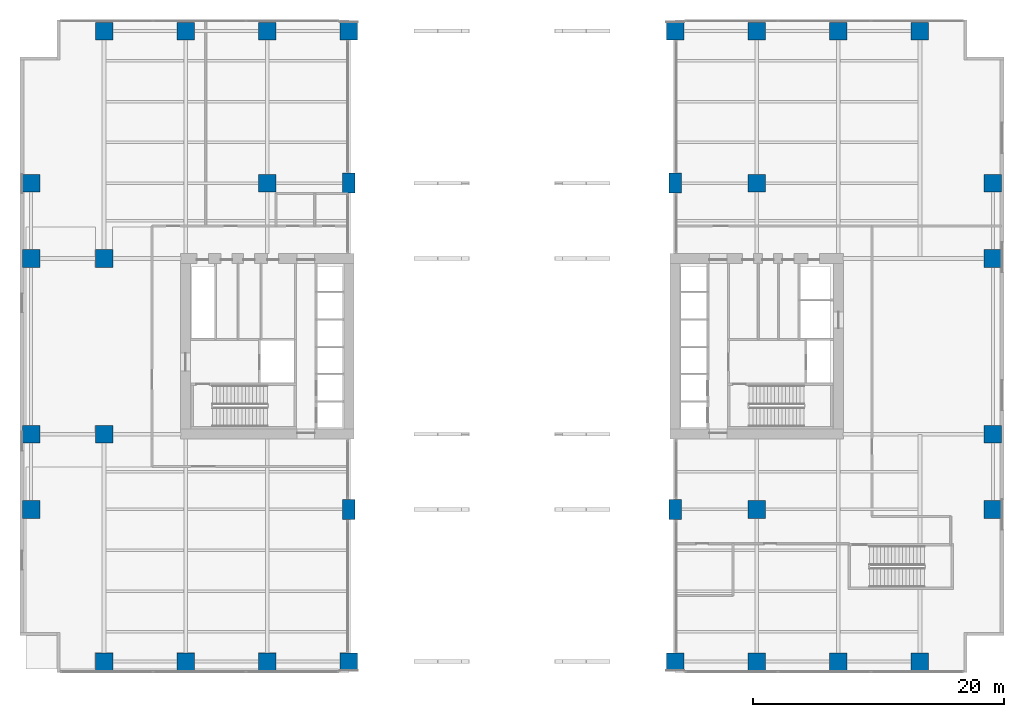
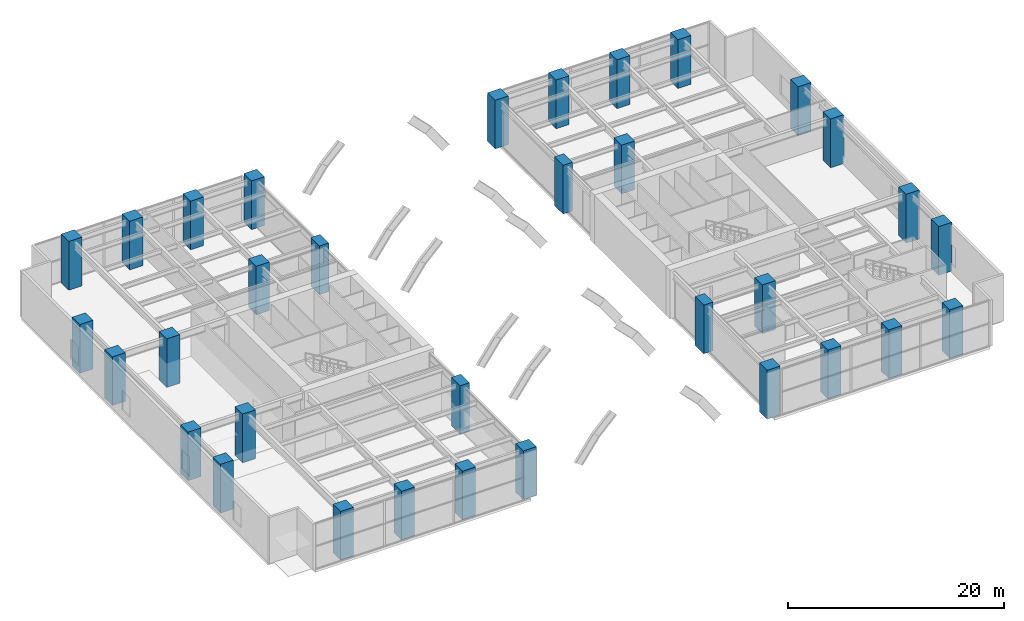
# One storey, part 1 of 18: 33 columns.
"""IFC4 building model written with IfcOpenShell, lengths in metres."""

from ifc_helpers import new_model, si_unit, direction, frame, origin, origin_2d, place, context, subcontext, project, spatial, rectangle, extrude, material, material_profile, profile_set, type_object, element, save


model = new_model("IFC4")

# Units and contexts
model_context = context("Model", 3, precision=1e-05, world=origin(), true_north=direction((0.0, 1.0)))
body_context = subcontext(model_context, "Body", "Model", "MODEL_VIEW")
ifc_project = project(units=[si_unit("LENGTHUNIT", "METRE"), si_unit("AREAUNIT", "SQUARE_METRE"), si_unit("VOLUMEUNIT", "CUBIC_METRE"), si_unit("PLANEANGLEUNIT", "RADIAN"), si_unit("MASSUNIT", "GRAM", prefix="KILO")], contexts=[model_context])

# Site, building, storey
site_placement = place(None, origin())
site = spatial("IfcSite", under=ifc_project, at=site_placement, CompositionType="ELEMENT")
building_placement = place(site_placement, origin())
building = spatial("IfcBuilding", under=site, at=building_placement, Name="Putna Gate Headquarters", CompositionType="ELEMENT")
storey_placement = place(building_placement, frame((0.0, 0.0, 11.5)))
storey = spatial("IfcBuildingStorey", under=building, at=storey_placement, Name="L02", CompositionType="ELEMENT", Elevation=11.5)

# Columns
ifc_material = material(Name="Concrete C60/75", Category="concrete")
ifc_material_profile_1 = material_profile(ifc_material, rectangle(XDim=1.0, YDim=1.60009765625, at=origin_2d()), Name="Concrete C60/75")
ifc_profile_set_1 = profile_set([ifc_material_profile_1], Name="Concrete C60/75")
column_type_1 = type_object("IfcColumnType", Name="COL-PILASTER-1600", PredefinedType="PILASTER", material=ifc_profile_set_1)
for number, where, z_axis, x_axis, name in (
    (1, (26.0, 13.0, 0.0), (0.0, 0.0, 1.0), (1.0, 0.0, 0.0), "L02 Column CAP-WS"),
    (2, (26.0, 39.0, 0.0), (0.0, 0.0, 1.0), (1.0, 0.0, 0.0), "L02 Column CAP-WN"),
    (3, (52.0, 13.0, 0.0), (0.0, 0.0, 1.0), (1.0, 0.0, 0.0), "L02 Column CAP-ES"),
    (4, (52.0, 39.0, 0.0), (0.0, 0.0, 1.0), (1.0, 0.0, 0.0), "L02 Column CAP-EN"),
):
    element("IfcColumn", number, at=place(storey_placement, frame(where, z_axis=z_axis, x_axis=x_axis)), inside=storey, type_object=column_type_1, Name=name, PredefinedType="PILASTER", context=body_context, shape_type="SweptSolid", body=[
        extrude(rectangle(XDim=1.0, YDim=1.60009765625, at=origin_2d()), origin(), (0.0, 0.0, 1.0), 5.5),
    ])
ifc_material_profile_2 = material_profile(ifc_material, rectangle(XDim=1.39990234375, YDim=1.39990234375, at=origin_2d()), Name="Concrete C60/75")
ifc_profile_set_2 = profile_set([ifc_material_profile_2], Name="Concrete C60/75")
column_type_2 = type_object("IfcColumnType", Name="COL-RC1400-EXT", PredefinedType="COLUMN", material=ifc_profile_set_2)
for number, where, z_axis, x_axis, name in (
    (5, (6.5, 0.8798828125, 0.0), (0.0, 0.0, 1.0), (1.0, 0.0, 0.0), "L02 Column CP-S6"),
    (6, (6.5, 51.1201171875, 0.0), (0.0, 0.0, 1.0), (1.0, 0.0, 0.0), "L02 Column CP-N6"),
    (7, (13.0, 0.8798828125, 0.0), (0.0, 0.0, 1.0), (1.0, 0.0, 0.0), "L02 Column CP-S13"),
    (8, (13.0, 51.1201171875, 0.0), (0.0, 0.0, 1.0), (1.0, 0.0, 0.0), "L02 Column CP-N13"),
    (9, (19.5, 0.8798828125, 0.0), (0.0, 0.0, 1.0), (1.0, 0.0, 0.0), "L02 Column CP-S19"),
    (10, (19.5, 51.1201171875, 0.0), (0.0, 0.0, 1.0), (1.0, 0.0, 0.0), "L02 Column CP-N19"),
    (11, (26.0, 0.8798828125, 0.0), (0.0, 0.0, 1.0), (1.0, 0.0, 0.0), "L02 Column CP-S26"),
    (12, (26.0, 51.1201171875, 0.0), (0.0, 0.0, 1.0), (1.0, 0.0, 0.0), "L02 Column CP-N26"),
    (13, (52.0, 0.8798828125, 0.0), (0.0, 0.0, 1.0), (1.0, 0.0, 0.0), "L02 Column CP-S52"),
    (14, (52.0, 51.1201171875, 0.0), (0.0, 0.0, 1.0), (1.0, 0.0, 0.0), "L02 Column CP-N52"),
    (15, (58.5, 0.8798828125, 0.0), (0.0, 0.0, 1.0), (1.0, 0.0, 0.0), "L02 Column CP-S58"),
    (16, (58.5, 51.1201171875, 0.0), (0.0, 0.0, 1.0), (1.0, 0.0, 0.0), "L02 Column CP-N58"),
    (17, (65.0, 0.8798828125, 0.0), (0.0, 0.0, 1.0), (1.0, 0.0, 0.0), "L02 Column CP-S65"),
    (18, (65.0, 51.1201171875, 0.0), (0.0, 0.0, 1.0), (1.0, 0.0, 0.0), "L02 Column CP-N65"),
    (19, (71.5, 0.8798828125, 0.0), (0.0, 0.0, 1.0), (1.0, 0.0, 0.0), "L02 Column CP-S71"),
    (20, (71.5, 51.1201171875, 0.0), (0.0, 0.0, 1.0), (1.0, 0.0, 0.0), "L02 Column CP-N71"),
    (21, (0.679931640625, 13.0, 0.0), (0.0, 0.0, 1.0), (1.0, 0.0, 0.0), "L02 Column CP-W13"),
    (22, (77.320068359375, 13.0, 0.0), (0.0, 0.0, 1.0), (1.0, 0.0, 0.0), "L02 Column CP-E13"),
    (23, (0.679931640625, 19.0, 0.0), (0.0, 0.0, 1.0), (1.0, 0.0, 0.0), "L02 Column CP-W19"),
    (24, (77.320068359375, 19.0, 0.0), (0.0, 0.0, 1.0), (1.0, 0.0, 0.0), "L02 Column CP-E19"),
    (25, (0.679931640625, 33.0, 0.0), (0.0, 0.0, 1.0), (1.0, 0.0, 0.0), "L02 Column CP-W33"),
    (26, (77.320068359375, 33.0, 0.0), (0.0, 0.0, 1.0), (1.0, 0.0, 0.0), "L02 Column CP-E33"),
    (27, (0.679931640625, 39.0, 0.0), (0.0, 0.0, 1.0), (1.0, 0.0, 0.0), "L02 Column CP-W39"),
    (28, (77.320068359375, 39.0, 0.0), (0.0, 0.0, 1.0), (1.0, 0.0, 0.0), "L02 Column CP-E39"),
):
    element("IfcColumn", number, at=place(storey_placement, frame(where, z_axis=z_axis, x_axis=x_axis)), inside=storey, type_object=column_type_2, Name=name, PredefinedType="COLUMN", context=body_context, shape_type="SweptSolid", body=[
        extrude(rectangle(XDim=1.39990234375, YDim=1.39990234375, at=origin_2d()), origin(), (0.0, 0.0, 1.0), 5.5),
    ])
ifc_material_profile_3 = material_profile(ifc_material, rectangle(XDim=1.39990234375, YDim=1.39990234375, at=origin_2d()), Name="Concrete C60/75")
ifc_profile_set_3 = profile_set([ifc_material_profile_3], Name="Concrete C60/75")
column_type_3 = type_object("IfcColumnType", Name="COL-RC1400-INT", PredefinedType="COLUMN", material=ifc_profile_set_3)
for number, where, z_axis, x_axis, name in (
    (29, (19.5, 39.0, 0.0), (0.0, 0.0, 1.0), (1.0, 0.0, 0.0), "L02 Column CSI-WN"),
    (30, (58.5, 13.0, 0.0), (0.0, 0.0, 1.0), (1.0, 0.0, 0.0), "L02 Column CSI-ES"),
    (31, (58.5, 39.0, 0.0), (0.0, 0.0, 1.0), (1.0, 0.0, 0.0), "L02 Column CSI-EN"),
    (32, (6.5, 19.0, 0.0), (0.0, 0.0, 1.0), (1.0, 0.0, 0.0), "L02 Column CSI-WM"),
    (33, (6.5, 33.0, 0.0), (0.0, 0.0, 1.0), (1.0, 0.0, 0.0), "L02 Column CSI-WNW"),
):
    element("IfcColumn", number, at=place(storey_placement, frame(where, z_axis=z_axis, x_axis=x_axis)), inside=storey, type_object=column_type_3, Name=name, PredefinedType="COLUMN", context=body_context, shape_type="SweptSolid", body=[
        extrude(rectangle(XDim=1.39990234375, YDim=1.39990234375, at=origin_2d()), origin(), (0.0, 0.0, 1.0), 5.5),
    ])

save(model, "model.ifc")
